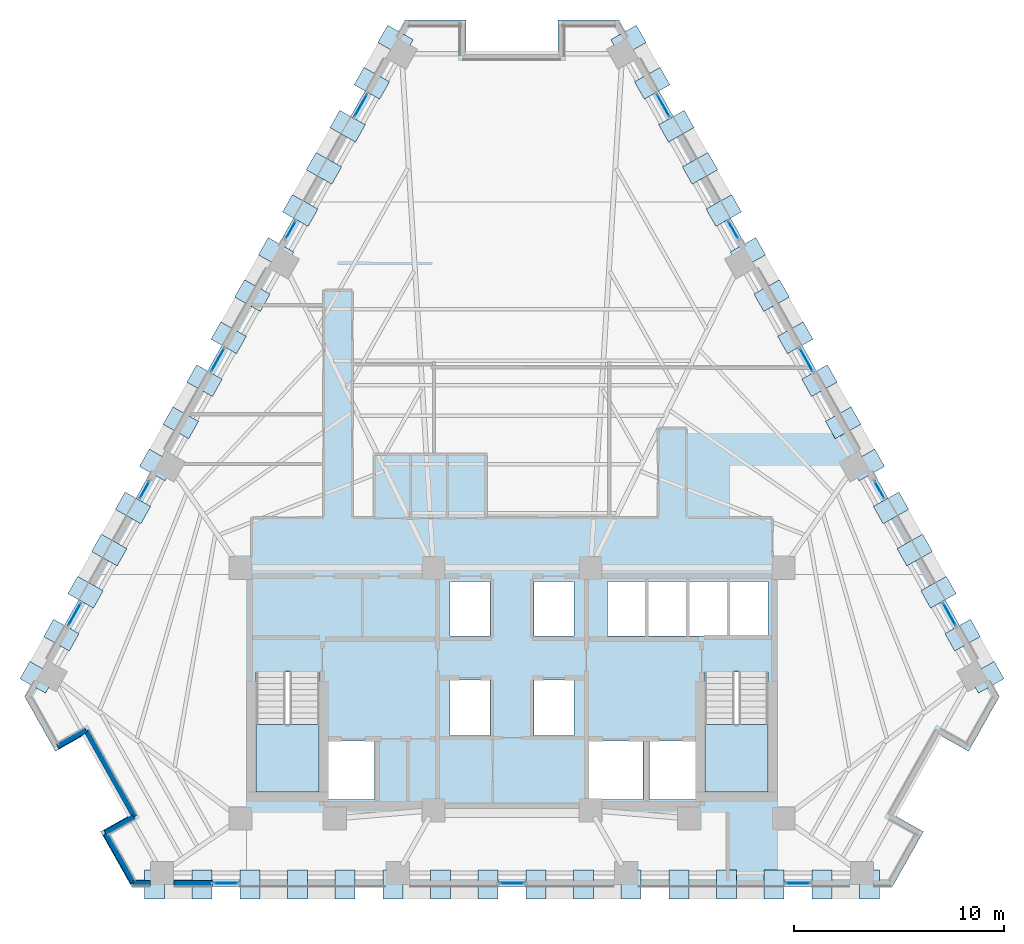
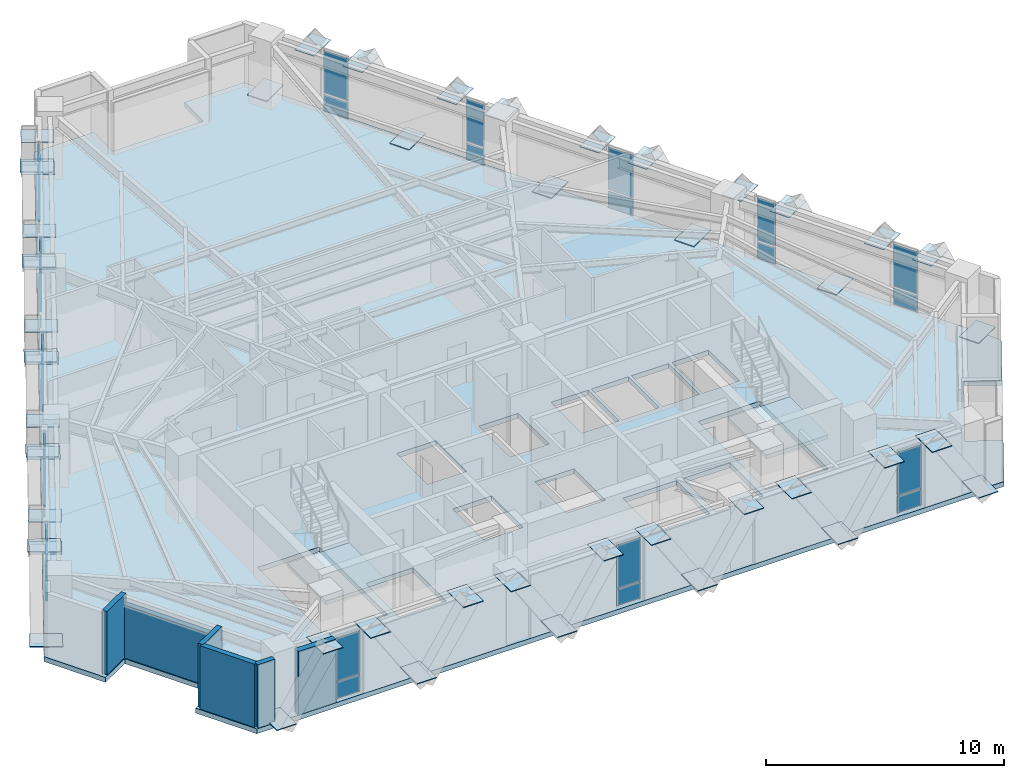
# One storey, part 6 of 13: 74 plates, 6 walls, 3 slabs, 15 elements without a shape of their own.
"""IFC4 building model written with IfcOpenShell, lengths in metres."""

from ifc_helpers import new_model, si_unit, direction, frame, frame_2d, origin, origin_2d, place, context, subcontext, project, spatial, polyline, rectangle, outline, extrude, material, layer, layer_set, type_object, element, aggregate, save


model = new_model("IFC4")

# Units and contexts
model_context = context("Model", 3, precision=1e-05, world=origin(), true_north=direction((0.0, 1.0)))
body_context = subcontext(model_context, "Body", "Model", "MODEL_VIEW")
ifc_project = project(units=[si_unit("LENGTHUNIT", "METRE"), si_unit("AREAUNIT", "SQUARE_METRE"), si_unit("VOLUMEUNIT", "CUBIC_METRE"), si_unit("PLANEANGLEUNIT", "RADIAN"), si_unit("MASSUNIT", "GRAM", prefix="KILO")], contexts=[model_context])

# Site, building, storey
site_placement = place(None, origin())
site = spatial("IfcSite", under=ifc_project, at=site_placement, CompositionType="ELEMENT")
building_placement = place(site_placement, origin())
building = spatial("IfcBuilding", under=site, at=building_placement, Name="Quenlor Broadcast Tower", CompositionType="ELEMENT")
storey_placement = place(building_placement, frame((0.0, 0.0, 119.5)))
storey = spatial("IfcBuildingStorey", under=building, at=storey_placement, Name="L32", CompositionType="ELEMENT", Elevation=119.5)

# Curtain wall, plates
ifc_material_1 = material(Name="Architectural Terracotta and Low-E Glazing", Category="masonry")
curtain_wall_type = type_object("IfcCurtainWallType", Name="Unitised Terracotta Curtain Wall System Z2", PredefinedType="NOTDEFINED", material=ifc_material_1)
curtain_wall_1_placement = place(storey_placement, origin())
curtain_wall_1 = element("IfcCurtainWall", 1, at=curtain_wall_1_placement, inside=storey, type_object=curtain_wall_type, Name="L32 Curtain Wall CW2 (L32-SA-G1)", PredefinedType="NOTDEFINED")
ifc_material_2 = material(Name="Double Glazed Low-E Solar Glass", Category="glass")
ifc_layer_1 = layer(ifc_material_2, 0.030029296875)
ifc_layer_set_1 = layer_set([ifc_layer_1], Name="CW2 Double Glazed Vision Panel 30")
plate_type_1 = type_object("IfcPlateType", Name="CW2 Double Glazed Vision Panel 30", PredefinedType="CURTAIN_PANEL", material=ifc_layer_set_1)
plate_1_placement = place(storey_placement, frame((13.63525390625, -19.840087890625, 0.074951171875), z_axis=(0.0, 0.0, 1.0), x_axis=(-1.0, 0.0, 0.0)))
plate_1 = element("IfcPlate", 2, at=plate_1_placement, type_object=plate_type_1, Name="CW2 panel 1.1", PredefinedType="CURTAIN_PANEL", context=body_context, shape_type="SweptSolid", body=[
    extrude(rectangle(XDim=1.1630859375, YDim=0.030029296875, at=origin_2d()), origin(), (0.0, 0.0, 1.0), 0.83740234375),
])
plate_2_placement = place(storey_placement, frame((13.63525390625, -19.840087890625, 0.987548828125), z_axis=(0.0, 0.0, 1.0), x_axis=(-1.0, 0.0, 0.0)))
plate_2 = element("IfcPlate", 3, at=plate_2_placement, type_object=plate_type_1, Name="CW2 panel 1.2", PredefinedType="CURTAIN_PANEL", context=body_context, shape_type="SweptSolid", body=[
    extrude(rectangle(XDim=1.1630859375, YDim=0.030029296875, at=origin_2d()), origin(), (0.0, 0.0, 1.0), 2.1875),
])
aggregate(curtain_wall_1, [plate_1, plate_2])

curtain_wall_2_placement = place(storey_placement, origin())
curtain_wall_2 = element("IfcCurtainWall", 4, at=curtain_wall_2_placement, inside=storey, type_object=curtain_wall_type, Name="L32 Curtain Wall CW2 (L32-SC-G1)", PredefinedType="NOTDEFINED")
plate_3_placement = place(storey_placement, frame((-13.63525390625, -19.840087890625, 0.074951171875), z_axis=(0.0, 0.0, 1.0), x_axis=(-1.0, 0.0, 0.0)))
plate_3 = element("IfcPlate", 5, at=plate_3_placement, type_object=plate_type_1, Name="CW2 panel 1.1", PredefinedType="CURTAIN_PANEL", context=body_context, shape_type="SweptSolid", body=[
    extrude(rectangle(XDim=1.1630859375, YDim=0.030029296875, at=origin_2d()), origin(), (0.0, 0.0, 1.0), 0.83740234375),
])
plate_4_placement = place(storey_placement, frame((-13.63525390625, -19.840087890625, 0.987548828125), z_axis=(0.0, 0.0, 1.0), x_axis=(-1.0, 0.0, 0.0)))
plate_4 = element("IfcPlate", 6, at=plate_4_placement, type_object=plate_type_1, Name="CW2 panel 1.2", PredefinedType="CURTAIN_PANEL", context=body_context, shape_type="SweptSolid", body=[
    extrude(rectangle(XDim=1.1630859375, YDim=0.030029296875, at=origin_2d()), origin(), (0.0, 0.0, 1.0), 2.1875),
])
aggregate(curtain_wall_2, [plate_3, plate_4])

curtain_wall_3_placement = place(storey_placement, origin())
curtain_wall_3 = element("IfcCurtainWall", 7, at=curtain_wall_3_placement, inside=storey, type_object=curtain_wall_type, Name="L32 Curtain Wall CW2 (L32-S-G1)", PredefinedType="NOTDEFINED")
plate_5_placement = place(storey_placement, frame((0.0, -19.840087890625, 0.074951171875), z_axis=(0.0, 0.0, 1.0), x_axis=(-1.0, 0.0, 0.0)))
plate_5 = element("IfcPlate", 8, at=plate_5_placement, type_object=plate_type_1, Name="CW2 panel 1.1", PredefinedType="CURTAIN_PANEL", context=body_context, shape_type="SweptSolid", body=[
    extrude(rectangle(XDim=1.1630859375, YDim=0.030029296875, at=origin_2d()), origin(), (0.0, 0.0, 1.0), 0.83740234375),
])
plate_6_placement = place(storey_placement, frame((0.0, -19.840087890625, 0.987548828125), z_axis=(0.0, 0.0, 1.0), x_axis=(-1.0, 0.0, 0.0)))
plate_6 = element("IfcPlate", 9, at=plate_6_placement, type_object=plate_type_1, Name="CW2 panel 1.2", PredefinedType="CURTAIN_PANEL", context=body_context, shape_type="SweptSolid", body=[
    extrude(rectangle(XDim=1.1630859375, YDim=0.030029296875, at=origin_2d()), origin(), (0.0, 0.0, 1.0), 2.1875),
])
aggregate(curtain_wall_3, [plate_5, plate_6])

curtain_wall_4_placement = place(storey_placement, origin())
curtain_wall_4 = element("IfcCurtainWall", 10, at=curtain_wall_4_placement, inside=storey, type_object=curtain_wall_type, Name="L32 Curtain Wall CW2 (L32-NEA-G1)", PredefinedType="NOTDEFINED")
plate_7_placement = place(storey_placement, frame((7.209228515625, 17.257080078125, 0.074951171875), z_axis=(0.0, 0.0, 1.0), x_axis=(0.490247320704, -0.871583366376, 0.0)))
plate_7 = element("IfcPlate", 11, at=plate_7_placement, type_object=plate_type_1, Name="CW2 panel 1.1", PredefinedType="CURTAIN_PANEL", context=body_context, shape_type="SweptSolid", body=[
    extrude(rectangle(XDim=1.21435546875, YDim=0.030029296875, at=origin_2d()), origin(), (0.0, 0.0, 1.0), 0.83740234375),
])
plate_8_placement = place(storey_placement, frame((7.209228515625, 17.257080078125, 0.987548828125), z_axis=(0.0, 0.0, 1.0), x_axis=(0.490247320704, -0.871583366376, 0.0)))
plate_8 = element("IfcPlate", 12, at=plate_8_placement, type_object=plate_type_1, Name="CW2 panel 1.2", PredefinedType="CURTAIN_PANEL", context=body_context, shape_type="SweptSolid", body=[
    extrude(rectangle(XDim=1.21435546875, YDim=0.030029296875, at=origin_2d()), origin(), (0.0, 0.0, 1.0), 2.1875),
])
aggregate(curtain_wall_4, [plate_7, plate_8])

curtain_wall_5_placement = place(storey_placement, origin())
curtain_wall_5 = element("IfcCurtainWall", 13, at=curtain_wall_5_placement, inside=storey, type_object=curtain_wall_type, Name="L32 Curtain Wall CW2 (L32-NEA-G2)", PredefinedType="NOTDEFINED")
plate_9_placement = place(storey_placement, frame((10.54736328125, 11.322998046875, 0.074951171875), z_axis=(0.0, 0.0, 1.0), x_axis=(0.490252261371, -0.871580587336, 0.0)))
plate_9 = element("IfcPlate", 14, at=plate_9_placement, type_object=plate_type_1, Name="CW2 panel 1.1", PredefinedType="CURTAIN_PANEL", context=body_context, shape_type="SweptSolid", body=[
    extrude(rectangle(XDim=0.90771484375, YDim=0.030029296875, at=origin_2d()), origin(), (0.0, 0.0, 1.0), 0.83740234375),
])
plate_10_placement = place(storey_placement, frame((10.54736328125, 11.322998046875, 0.987548828125), z_axis=(0.0, 0.0, 1.0), x_axis=(0.490252261371, -0.871580587336, 0.0)))
plate_10 = element("IfcPlate", 15, at=plate_10_placement, type_object=plate_type_1, Name="CW2 panel 1.2", PredefinedType="CURTAIN_PANEL", context=body_context, shape_type="SweptSolid", body=[
    extrude(rectangle(XDim=0.90771484375, YDim=0.030029296875, at=origin_2d()), origin(), (0.0, 0.0, 1.0), 2.1875),
])
aggregate(curtain_wall_5, [plate_9, plate_10])

curtain_wall_6_placement = place(storey_placement, origin())
curtain_wall_6 = element("IfcCurtainWall", 16, at=curtain_wall_6_placement, inside=storey, type_object=curtain_wall_type, Name="L32 Curtain Wall CW2 (L32-NEC-G1)", PredefinedType="NOTDEFINED")
plate_11_placement = place(storey_placement, frame((17.523681640625, -1.079833984375, 0.074951171875), z_axis=(0.0, 0.0, 1.0), x_axis=(0.490252261371, -0.871580587336, 0.0)))
plate_11 = element("IfcPlate", 17, at=plate_11_placement, type_object=plate_type_1, Name="CW2 panel 1.1", PredefinedType="CURTAIN_PANEL", context=body_context, shape_type="SweptSolid", body=[
    extrude(rectangle(XDim=0.90771484375, YDim=0.030029296875, at=origin_2d()), origin(), (0.0, 0.0, 1.0), 0.83740234375),
])
plate_12_placement = place(storey_placement, frame((17.523681640625, -1.079833984375, 0.987548828125), z_axis=(0.0, 0.0, 1.0), x_axis=(0.490252261371, -0.871580587336, 0.0)))
plate_12 = element("IfcPlate", 18, at=plate_12_placement, type_object=plate_type_1, Name="CW2 panel 1.2", PredefinedType="CURTAIN_PANEL", context=body_context, shape_type="SweptSolid", body=[
    extrude(rectangle(XDim=0.90771484375, YDim=0.030029296875, at=origin_2d()), origin(), (0.0, 0.0, 1.0), 2.1875),
])
aggregate(curtain_wall_6, [plate_11, plate_12])

curtain_wall_7_placement = place(storey_placement, origin())
curtain_wall_7 = element("IfcCurtainWall", 19, at=curtain_wall_7_placement, inside=storey, type_object=curtain_wall_type, Name="L32 Curtain Wall CW2 (L32-NEC-G2)", PredefinedType="NOTDEFINED")
plate_13_placement = place(storey_placement, frame((20.861572265625, -7.013916015625, 0.074951171875), z_axis=(0.0, 0.0, 1.0), x_axis=(0.490278639232, -0.871565749621, 0.0)))
plate_13 = element("IfcPlate", 20, at=plate_13_placement, type_object=plate_type_1, Name="CW2 panel 1.1", PredefinedType="CURTAIN_PANEL", context=body_context, shape_type="SweptSolid", body=[
    extrude(rectangle(XDim=1.21435546875, YDim=0.030029296875, at=origin_2d()), origin(), (0.0, 0.0, 1.0), 0.83740234375),
])
plate_14_placement = place(storey_placement, frame((20.861572265625, -7.013916015625, 0.987548828125), z_axis=(0.0, 0.0, 1.0), x_axis=(0.490278639232, -0.871565749621, 0.0)))
plate_14 = element("IfcPlate", 21, at=plate_14_placement, type_object=plate_type_1, Name="CW2 panel 1.2", PredefinedType="CURTAIN_PANEL", context=body_context, shape_type="SweptSolid", body=[
    extrude(rectangle(XDim=1.21435546875, YDim=0.030029296875, at=origin_2d()), origin(), (0.0, 0.0, 1.0), 2.1875),
])
aggregate(curtain_wall_7, [plate_13, plate_14])

curtain_wall_8_placement = place(storey_placement, origin())
curtain_wall_8 = element("IfcCurtainWall", 22, at=curtain_wall_8_placement, inside=storey, type_object=curtain_wall_type, Name="L32 Curtain Wall CW2 (L32-NE-G1)", PredefinedType="NOTDEFINED")
plate_15_placement = place(storey_placement, frame((14.035400390625, 5.12158203125, 0.074951171875), z_axis=(0.0, 0.0, 1.0), x_axis=(0.490254279037, -0.871579452423, 0.0)))
plate_15 = element("IfcPlate", 23, at=plate_15_placement, type_object=plate_type_1, Name="CW2 panel 1.1", PredefinedType="CURTAIN_PANEL", context=body_context, shape_type="SweptSolid", body=[
    extrude(rectangle(XDim=1.214111328125, YDim=0.030029296875, at=origin_2d()), origin(), (0.0, 0.0, 1.0), 0.83740234375),
])
plate_16_placement = place(storey_placement, frame((14.035400390625, 5.12158203125, 0.987548828125), z_axis=(0.0, 0.0, 1.0), x_axis=(0.490254279037, -0.871579452423, 0.0)))
plate_16 = element("IfcPlate", 24, at=plate_16_placement, type_object=plate_type_1, Name="CW2 panel 1.2", PredefinedType="CURTAIN_PANEL", context=body_context, shape_type="SweptSolid", body=[
    extrude(rectangle(XDim=1.214111328125, YDim=0.030029296875, at=origin_2d()), origin(), (0.0, 0.0, 1.0), 2.1875),
])
aggregate(curtain_wall_8, [plate_15, plate_16])

curtain_wall_9_placement = place(storey_placement, origin())
curtain_wall_9 = element("IfcCurtainWall", 25, at=curtain_wall_9_placement, inside=storey, type_object=curtain_wall_type, Name="L32 Curtain Wall CW2 (L32-NWA-G1)", PredefinedType="NOTDEFINED")
plate_17_placement = place(storey_placement, frame((-20.861572265625, -7.013916015625, 0.074951171875), z_axis=(0.0, 0.0, 1.0), x_axis=(0.490278639232, 0.871565749621, 0.0)))
plate_17 = element("IfcPlate", 26, at=plate_17_placement, type_object=plate_type_1, Name="CW2 panel 1.1", PredefinedType="CURTAIN_PANEL", context=body_context, shape_type="SweptSolid", body=[
    extrude(rectangle(XDim=1.21435546875, YDim=0.030029296875, at=origin_2d()), origin(), (0.0, 0.0, 1.0), 0.83740234375),
])
plate_18_placement = place(storey_placement, frame((-20.861572265625, -7.013916015625, 0.987548828125), z_axis=(0.0, 0.0, 1.0), x_axis=(0.490278639232, 0.871565749621, 0.0)))
plate_18 = element("IfcPlate", 27, at=plate_18_placement, type_object=plate_type_1, Name="CW2 panel 1.2", PredefinedType="CURTAIN_PANEL", context=body_context, shape_type="SweptSolid", body=[
    extrude(rectangle(XDim=1.21435546875, YDim=0.030029296875, at=origin_2d()), origin(), (0.0, 0.0, 1.0), 2.1875),
])
aggregate(curtain_wall_9, [plate_17, plate_18])

curtain_wall_10_placement = place(storey_placement, origin())
curtain_wall_10 = element("IfcCurtainWall", 28, at=curtain_wall_10_placement, inside=storey, type_object=curtain_wall_type, Name="L32 Curtain Wall CW2 (L32-NWA-G2)", PredefinedType="NOTDEFINED")
plate_19_placement = place(storey_placement, frame((-17.523681640625, -1.079833984375, 0.074951171875), z_axis=(0.0, 0.0, 1.0), x_axis=(0.490252261371, 0.871580587336, 0.0)))
plate_19 = element("IfcPlate", 29, at=plate_19_placement, type_object=plate_type_1, Name="CW2 panel 1.1", PredefinedType="CURTAIN_PANEL", context=body_context, shape_type="SweptSolid", body=[
    extrude(rectangle(XDim=0.90771484375, YDim=0.030029296875, at=origin_2d()), origin(), (0.0, 0.0, 1.0), 0.83740234375),
])
plate_20_placement = place(storey_placement, frame((-17.523681640625, -1.079833984375, 0.987548828125), z_axis=(0.0, 0.0, 1.0), x_axis=(0.490252261371, 0.871580587336, 0.0)))
plate_20 = element("IfcPlate", 30, at=plate_20_placement, type_object=plate_type_1, Name="CW2 panel 1.2", PredefinedType="CURTAIN_PANEL", context=body_context, shape_type="SweptSolid", body=[
    extrude(rectangle(XDim=0.90771484375, YDim=0.030029296875, at=origin_2d()), origin(), (0.0, 0.0, 1.0), 2.1875),
])
aggregate(curtain_wall_10, [plate_19, plate_20])

curtain_wall_11_placement = place(storey_placement, origin())
curtain_wall_11 = element("IfcCurtainWall", 31, at=curtain_wall_11_placement, inside=storey, type_object=curtain_wall_type, Name="L32 Curtain Wall CW2 (L32-NWC-G1)", PredefinedType="NOTDEFINED")
plate_21_placement = place(storey_placement, frame((-10.54736328125, 11.322998046875, 0.074951171875), z_axis=(0.0, 0.0, 1.0), x_axis=(0.490252261371, 0.871580587336, 0.0)))
plate_21 = element("IfcPlate", 32, at=plate_21_placement, type_object=plate_type_1, Name="CW2 panel 1.1", PredefinedType="CURTAIN_PANEL", context=body_context, shape_type="SweptSolid", body=[
    extrude(rectangle(XDim=0.90771484375, YDim=0.030029296875, at=origin_2d()), origin(), (0.0, 0.0, 1.0), 0.83740234375),
])
plate_22_placement = place(storey_placement, frame((-10.54736328125, 11.322998046875, 0.987548828125), z_axis=(0.0, 0.0, 1.0), x_axis=(0.490252261371, 0.871580587336, 0.0)))
plate_22 = element("IfcPlate", 33, at=plate_22_placement, type_object=plate_type_1, Name="CW2 panel 1.2", PredefinedType="CURTAIN_PANEL", context=body_context, shape_type="SweptSolid", body=[
    extrude(rectangle(XDim=0.90771484375, YDim=0.030029296875, at=origin_2d()), origin(), (0.0, 0.0, 1.0), 2.1875),
])
aggregate(curtain_wall_11, [plate_21, plate_22])

curtain_wall_12_placement = place(storey_placement, origin())
curtain_wall_12 = element("IfcCurtainWall", 34, at=curtain_wall_12_placement, inside=storey, type_object=curtain_wall_type, Name="L32 Curtain Wall CW2 (L32-NWC-G2)", PredefinedType="NOTDEFINED")
plate_23_placement = place(storey_placement, frame((-7.209228515625, 17.257080078125, 0.074951171875), z_axis=(0.0, 0.0, 1.0), x_axis=(0.490247320704, 0.871583366376, 0.0)))
plate_23 = element("IfcPlate", 35, at=plate_23_placement, type_object=plate_type_1, Name="CW2 panel 1.1", PredefinedType="CURTAIN_PANEL", context=body_context, shape_type="SweptSolid", body=[
    extrude(rectangle(XDim=1.21435546875, YDim=0.030029296875, at=origin_2d()), origin(), (0.0, 0.0, 1.0), 0.83740234375),
])
plate_24_placement = place(storey_placement, frame((-7.209228515625, 17.257080078125, 0.987548828125), z_axis=(0.0, 0.0, 1.0), x_axis=(0.490247320704, 0.871583366376, 0.0)))
plate_24 = element("IfcPlate", 36, at=plate_24_placement, type_object=plate_type_1, Name="CW2 panel 1.2", PredefinedType="CURTAIN_PANEL", context=body_context, shape_type="SweptSolid", body=[
    extrude(rectangle(XDim=1.21435546875, YDim=0.030029296875, at=origin_2d()), origin(), (0.0, 0.0, 1.0), 2.1875),
])
aggregate(curtain_wall_12, [plate_23, plate_24])

curtain_wall_13_placement = place(storey_placement, origin())
curtain_wall_13 = element("IfcCurtainWall", 37, at=curtain_wall_13_placement, inside=storey, type_object=curtain_wall_type, Name="L32 Curtain Wall CW2 (L32-NW-G1)", PredefinedType="NOTDEFINED")
plate_25_placement = place(storey_placement, frame((-14.035400390625, 5.12158203125, 0.074951171875), z_axis=(0.0, 0.0, 1.0), x_axis=(0.490254279037, 0.871579452423, 0.0)))
plate_25 = element("IfcPlate", 38, at=plate_25_placement, type_object=plate_type_1, Name="CW2 panel 1.1", PredefinedType="CURTAIN_PANEL", context=body_context, shape_type="SweptSolid", body=[
    extrude(rectangle(XDim=1.214111328125, YDim=0.030029296875, at=origin_2d()), origin(), (0.0, 0.0, 1.0), 0.83740234375),
])
plate_26_placement = place(storey_placement, frame((-14.035400390625, 5.12158203125, 0.987548828125), z_axis=(0.0, 0.0, 1.0), x_axis=(0.490254279037, 0.871579452423, 0.0)))
plate_26 = element("IfcPlate", 39, at=plate_26_placement, type_object=plate_type_1, Name="CW2 panel 1.2", PredefinedType="CURTAIN_PANEL", context=body_context, shape_type="SweptSolid", body=[
    extrude(rectangle(XDim=1.214111328125, YDim=0.030029296875, at=origin_2d()), origin(), (0.0, 0.0, 1.0), 2.1875),
])
aggregate(curtain_wall_13, [plate_25, plate_26])

# Stair, slab
ifc_material_3 = material(Name="Precast concrete C40/50", Category="concrete")
stair_type = type_object("IfcStairType", Name="Precast Concrete C40/50 Dogleg Stair H350", PredefinedType="HALF_TURN_STAIR", material=ifc_material_3)
stair_1_placement = place(storey_placement, origin())
stair_1 = element("IfcStair", 40, at=stair_1_placement, inside=storey, type_object=stair_type, Name="L32 West Core Fire-Isolated Exit Stair ST-1", PredefinedType="HALF_TURN_STAIR")
ifc_material_4 = material(Name="Precast concrete C40/50", Category="concrete")
ifc_layer_2 = layer(ifc_material_4, 0.199951171875)
ifc_layer_set_2 = layer_set([ifc_layer_2], Name="Precast Concrete C40/50 Stair Landing Slab 200")
slab_type_1 = type_object("IfcSlabType", Name="Precast Concrete C40/50 Stair Landing Slab 200", PredefinedType="LANDING", material=ifc_layer_set_2)
slab_1_placement = place(storey_placement, frame((0.0, 0.0, 1.550048828125)))
slab_1 = element("IfcSlab", 41, at=slab_1_placement, type_object=slab_type_1, Name="ST-1 landing 1", PredefinedType="LANDING", context=body_context, shape_type="SweptSolid", body=[
    extrude(outline(polyline([(-12.199951171875, -12.27001953125), (-12.199951171875, -15.5), (-9.199951171875, -15.5), (-9.199951171875, -12.27001953125), (-12.199951171875, -12.27001953125)])), origin(), (0.0, 0.0, 1.0), 0.199951171875),
])
aggregate(stair_1, [slab_1])

stair_2_placement = place(storey_placement, origin())
stair_2 = element("IfcStair", 42, at=stair_2_placement, inside=storey, type_object=stair_type, Name="L32 East Core Fire-Isolated Exit Stair ST-2", PredefinedType="HALF_TURN_STAIR")
slab_2_placement = place(storey_placement, frame((0.0, 0.0, 1.550048828125)))
slab_2 = element("IfcSlab", 43, at=slab_2_placement, type_object=slab_type_1, Name="ST-2 landing 1", PredefinedType="LANDING", context=body_context, shape_type="SweptSolid", body=[
    extrude(outline(polyline([(9.199951171875, -12.27001953125), (9.199951171875, -15.5), (12.199951171875, -15.5), (12.199951171875, -12.27001953125), (9.199951171875, -12.27001953125)])), origin(), (0.0, 0.0, 1.0), 0.199951171875),
])
aggregate(stair_2, [slab_2])

# Slab
ifc_material_5 = material(Name="Concrete C40/50", Category="concrete")
ifc_layer_3 = layer(ifc_material_5, 0.25)
ifc_layer_set_3 = layer_set([ifc_layer_3], Name="Tower Composite Concrete C40/50 Slab 250")
slab_type_2 = type_object("IfcSlabType", Name="Tower Composite Concrete C40/50 Slab 250", PredefinedType="FLOOR", material=ifc_layer_set_3)
slab_3_placement = place(storey_placement, frame((0.0, 0.0, -0.25)))
element("IfcSlab", 44, at=slab_3_placement, inside=storey, type_object=slab_type_2, Name="L32 Structural Floor Slab", PredefinedType="FLOOR", context=body_context, shape_type="SweptSolid", body=[
    extrude(outline(polyline([(18.14404296875, -20.0), (19.616943359375, -17.381591796875), (18.222412109375, -16.596923828125), (20.379638671875, -12.76220703125), (21.774169921875, -13.54638671875), (23.2470703125, -10.927978515625), (5.10302734375, 21.327880859375), (2.199951171875, 21.327880859375), (2.199951171875, 19.72802734375), (-2.199951171875, 19.72802734375), (-2.199951171875, 21.327880859375), (-5.10302734375, 21.327880859375), (-23.2470703125, -10.927978515625), (-21.774169921875, -13.54638671875), (-20.379638671875, -12.76220703125), (-18.222412109375, -16.596923828125), (-19.616943359375, -17.381591796875), (-18.14404296875, -20.0), (18.14404296875, -20.0)]), holes=[polyline([(-12.199951171875, -9.758056640625), (-12.199951171875, -15.5), (-9.199951171875, -15.5), (-9.199951171875, -9.758056640625), (-12.199951171875, -9.758056640625)]), polyline([(9.199951171875, -9.758056640625), (9.199951171875, -15.5), (12.199951171875, -15.5), (12.199951171875, -9.758056640625), (9.199951171875, -9.758056640625)]), polyline([(-2.949951171875, -8.050048828125), (-1.050048828125, -8.050048828125), (-1.050048828125, -5.449951171875), (-2.949951171875, -5.449951171875), (-2.949951171875, -8.050048828125)]), polyline([(1.050048828125, -8.050048828125), (2.949951171875, -8.050048828125), (2.949951171875, -5.449951171875), (1.050048828125, -5.449951171875), (1.050048828125, -8.050048828125)]), polyline([(-2.949951171875, -12.800048828125), (-1.050048828125, -12.800048828125), (-1.050048828125, -10.14990234375), (-2.949951171875, -10.14990234375), (-2.949951171875, -12.800048828125)]), polyline([(1.050048828125, -12.800048828125), (2.949951171875, -12.800048828125), (2.949951171875, -10.14990234375), (1.050048828125, -10.14990234375), (1.050048828125, -12.800048828125)]), polyline([(4.550048828125, -8.050048828125), (6.35009765625, -8.050048828125), (6.35009765625, -5.449951171875), (4.550048828125, -5.449951171875), (4.550048828125, -8.050048828125)]), polyline([(6.5, -8.050048828125), (8.300048828125, -8.050048828125), (8.300048828125, -5.449951171875), (6.5, -5.449951171875), (6.5, -8.050048828125)]), polyline([(8.449951171875, -8.050048828125), (10.25, -8.050048828125), (10.25, -5.449951171875), (8.449951171875, -5.449951171875), (8.449951171875, -8.050048828125)]), polyline([(10.39990234375, -8.050048828125), (12.199951171875, -8.050048828125), (12.199951171875, -5.449951171875), (10.39990234375, -5.449951171875), (10.39990234375, -8.050048828125)]), polyline([(-8.85009765625, -15.85009765625), (-6.550048828125, -15.85009765625), (-6.550048828125, -13.050048828125), (-8.85009765625, -13.050048828125), (-8.85009765625, -15.85009765625)]), polyline([(6.550048828125, -15.85009765625), (8.85009765625, -15.85009765625), (8.85009765625, -13.050048828125), (6.550048828125, -13.050048828125), (6.550048828125, -15.85009765625)]), polyline([(3.64990234375, -15.85009765625), (6.25, -15.85009765625), (6.25, -13.050048828125), (3.64990234375, -13.050048828125), (3.64990234375, -15.85009765625)])]), origin(), (0.0, 0.0, 1.0), 0.25),
])

# Plates
ifc_material_6 = material(Name="Steel S355", Category="steel")
ifc_layer_4 = layer(ifc_material_6, 0.035888671875)
ifc_layer_set_4 = layer_set([ifc_layer_4], Name="Transfer Truss Steel S355 Gusset Node Plate 1400x950x36")
plate_type_2 = type_object("IfcPlateType", Name="Transfer Truss Steel S355 Gusset Node Plate 1400x950x36", PredefinedType="SHEET", material=ifc_layer_set_4)
for number, where, z_axis, x_axis, name in (
    (45, (17.0439453125, -19.89990234375, 0.0419921875), (0.0, 0.0, 1.0), (0.0, -1.0, 0.0), "L32 Lattice Tie Gusset Node S-B0"),
    (46, (14.78515625, -19.89990234375, 3.18212890625), (0.0, 0.0, 1.0), (0.0, -1.0, 0.0), "L32 Lattice Tie Gusset Node S-T1"),
    (47, (10.226318359375, -19.89990234375, 0.0419921875), (0.0, 0.0, 1.0), (0.0, -1.0, 0.0), "L32 Lattice Tie Gusset Node S-B3"),
    (48, (12.4853515625, -19.89990234375, 3.18212890625), (0.0, 0.0, 1.0), (0.0, -1.0, 0.0), "L32 Lattice Tie Gusset Node S-T2"),
    (49, (7.967529296875, -19.89990234375, 3.18212890625), (0.0, 0.0, 1.0), (0.0, -1.0, 0.0), "L32 Lattice Tie Gusset Node S-T4"),
    (50, (3.40869140625, -19.89990234375, 0.0419921875), (0.0, 0.0, 1.0), (0.0, -1.0, 0.0), "L32 Lattice Tie Gusset Node S-B6"),
    (51, (5.667724609375, -19.89990234375, 3.18212890625), (0.0, 0.0, 1.0), (0.0, -1.0, 0.0), "L32 Lattice Tie Gusset Node S-T5"),
    (52, (1.14990234375, -19.89990234375, 3.18212890625), (0.0, 0.0, 1.0), (0.0, -1.0, 0.0), "L32 Lattice Tie Gusset Node S-T7"),
    (53, (-3.40869140625, -19.89990234375, 0.0419921875), (0.0, 0.0, 1.0), (0.0, -1.0, 0.0), "L32 Lattice Tie Gusset Node S-B9"),
    (54, (-1.14990234375, -19.89990234375, 3.18212890625), (0.0, 0.0, 1.0), (0.0, -1.0, 0.0), "L32 Lattice Tie Gusset Node S-T8"),
    (55, (-5.667724609375, -19.89990234375, 3.18212890625), (0.0, 0.0, 1.0), (0.0, -1.0, 0.0), "L32 Lattice Tie Gusset Node S-T10"),
    (56, (-10.226318359375, -19.89990234375, 0.0419921875), (0.0, 0.0, 1.0), (0.0, -1.0, 0.0), "L32 Lattice Tie Gusset Node S-B12"),
    (57, (-7.967529296875, -19.89990234375, 3.18212890625), (0.0, 0.0, 1.0), (0.0, -1.0, 0.0), "L32 Lattice Tie Gusset Node S-T11"),
    (58, (-12.4853515625, -19.89990234375, 3.18212890625), (0.0, 0.0, 1.0), (0.0, -1.0, 0.0), "L32 Lattice Tie Gusset Node S-T13"),
    (59, (-17.0439453125, -19.89990234375, 0.0419921875), (0.0, 0.0, 1.0), (0.0, -1.0, 0.0), "L32 Lattice Tie Gusset Node S-B15"),
    (60, (-14.78515625, -19.89990234375, 3.18212890625), (0.0, 0.0, 1.0), (0.0, -1.0, 0.0), "L32 Lattice Tie Gusset Node S-T14"),
    (61, (5.55517578125, 20.3203125, 0.0419921875), (0.0, 0.0, 1.0), (0.871556314255, 0.490295412055, 0.0), "L32 Lattice Tie Gusset Node NE-B0"),
    (62, (6.68603515625, 18.309814453125, 3.18212890625), (0.0, 0.0, 1.0), (0.871556314255, 0.490295412055, 0.0), "L32 Lattice Tie Gusset Node NE-T1"),
    (63, (8.96826171875, 14.252685546875, 0.0419921875), (0.0, 0.0, 1.0), (0.871556314255, 0.490295412055, 0.0), "L32 Lattice Tie Gusset Node NE-B3"),
    (64, (7.83740234375, 16.262939453125, 3.18212890625), (0.0, 0.0, 1.0), (0.871556314255, 0.490295412055, 0.0), "L32 Lattice Tie Gusset Node NE-T2"),
    (65, (10.09912109375, 12.2421875, 3.18212890625), (0.0, 0.0, 1.0), (0.871556314255, 0.490295412055, 0.0), "L32 Lattice Tie Gusset Node NE-T4"),
    (66, (12.38134765625, 8.184814453125, 0.0419921875), (0.0, 0.0, 1.0), (0.871556314255, 0.490295412055, 0.0), "L32 Lattice Tie Gusset Node NE-B6"),
    (67, (11.25048828125, 10.1953125, 3.18212890625), (0.0, 0.0, 1.0), (0.871556314255, 0.490295412055, 0.0), "L32 Lattice Tie Gusset Node NE-T5"),
    (68, (13.51220703125, 6.17431640625, 3.18212890625), (0.0, 0.0, 1.0), (0.871556314255, 0.490295412055, 0.0), "L32 Lattice Tie Gusset Node NE-T7"),
    (69, (15.794189453125, 2.1171875, 0.0419921875), (0.0, 0.0, 1.0), (0.871556314255, 0.490295412055, 0.0), "L32 Lattice Tie Gusset Node NE-B9"),
    (70, (14.66357421875, 4.127685546875, 3.18212890625), (0.0, 0.0, 1.0), (0.871556314255, 0.490295412055, 0.0), "L32 Lattice Tie Gusset Node NE-T8"),
    (71, (16.92529296875, 0.106689453125, 3.18212890625), (0.0, 0.0, 1.0), (0.871556314255, 0.490295412055, 0.0), "L32 Lattice Tie Gusset Node NE-T10"),
    (72, (19.20751953125, -3.950439453125, 0.0419921875), (0.0, 0.0, 1.0), (0.871556314255, 0.490295412055, 0.0), "L32 Lattice Tie Gusset Node NE-B12"),
    (73, (18.07666015625, -1.940185546875, 3.18212890625), (0.0, 0.0, 1.0), (0.871556314255, 0.490295412055, 0.0), "L32 Lattice Tie Gusset Node NE-T11"),
    (74, (20.33837890625, -5.9609375, 3.18212890625), (0.0, 0.0, 1.0), (0.871556314255, 0.490295412055, 0.0), "L32 Lattice Tie Gusset Node NE-T13"),
    (75, (22.62060546875, -10.018310546875, 0.0419921875), (0.0, 0.0, 1.0), (0.871556314255, 0.490295412055, 0.0), "L32 Lattice Tie Gusset Node NE-B15"),
    (76, (21.489501953125, -8.0078125, 3.18212890625), (0.0, 0.0, 1.0), (0.871556314255, 0.490295412055, 0.0), "L32 Lattice Tie Gusset Node NE-T14"),
    (77, (-22.62060546875, -10.018310546875, 0.0419921875), (0.0, 0.0, 1.0), (-0.871556314255, 0.490295412055, 0.0), "L32 Lattice Tie Gusset Node NW-B0"),
    (78, (-21.489501953125, -8.0078125, 3.18212890625), (0.0, 0.0, 1.0), (-0.871556314255, 0.490295412055, 0.0), "L32 Lattice Tie Gusset Node NW-T1"),
    (79, (-19.20751953125, -3.950439453125, 0.0419921875), (0.0, 0.0, 1.0), (-0.871556314255, 0.490295412055, 0.0), "L32 Lattice Tie Gusset Node NW-B3"),
    (80, (-20.33837890625, -5.9609375, 3.18212890625), (0.0, 0.0, 1.0), (-0.871556314255, 0.490295412055, 0.0), "L32 Lattice Tie Gusset Node NW-T2"),
    (81, (-18.07666015625, -1.940185546875, 3.18212890625), (0.0, 0.0, 1.0), (-0.871556314255, 0.490295412055, 0.0), "L32 Lattice Tie Gusset Node NW-T4"),
    (82, (-15.794189453125, 2.1171875, 0.0419921875), (0.0, 0.0, 1.0), (-0.871556314255, 0.490295412055, 0.0), "L32 Lattice Tie Gusset Node NW-B6"),
    (83, (-16.92529296875, 0.106689453125, 3.18212890625), (0.0, 0.0, 1.0), (-0.871556314255, 0.490295412055, 0.0), "L32 Lattice Tie Gusset Node NW-T5"),
    (84, (-14.66357421875, 4.127685546875, 3.18212890625), (0.0, 0.0, 1.0), (-0.871556314255, 0.490295412055, 0.0), "L32 Lattice Tie Gusset Node NW-T7"),
    (85, (-12.38134765625, 8.184814453125, 0.0419921875), (0.0, 0.0, 1.0), (-0.871556314255, 0.490295412055, 0.0), "L32 Lattice Tie Gusset Node NW-B9"),
    (86, (-13.51220703125, 6.17431640625, 3.18212890625), (0.0, 0.0, 1.0), (-0.871556314255, 0.490295412055, 0.0), "L32 Lattice Tie Gusset Node NW-T8"),
    (87, (-11.25048828125, 10.1953125, 3.18212890625), (0.0, 0.0, 1.0), (-0.871556314255, 0.490295412055, 0.0), "L32 Lattice Tie Gusset Node NW-T10"),
    (88, (-8.96826171875, 14.252685546875, 0.0419921875), (0.0, 0.0, 1.0), (-0.871556314255, 0.490295412055, 0.0), "L32 Lattice Tie Gusset Node NW-B12"),
    (89, (-10.09912109375, 12.2421875, 3.18212890625), (0.0, 0.0, 1.0), (-0.871556314255, 0.490295412055, 0.0), "L32 Lattice Tie Gusset Node NW-T11"),
    (90, (-7.83740234375, 16.262939453125, 3.18212890625), (0.0, 0.0, 1.0), (-0.871556314255, 0.490295412055, 0.0), "L32 Lattice Tie Gusset Node NW-T13"),
    (91, (-5.55517578125, 20.3203125, 0.0419921875), (0.0, 0.0, 1.0), (-0.871556314255, 0.490295412055, 0.0), "L32 Lattice Tie Gusset Node NW-B15"),
    (92, (-6.68603515625, 18.309814453125, 3.18212890625), (0.0, 0.0, 1.0), (-0.871556314255, 0.490295412055, 0.0), "L32 Lattice Tie Gusset Node NW-T14"),
):
    element("IfcPlate", number, at=place(storey_placement, frame(where, z_axis=z_axis, x_axis=x_axis)), inside=storey, type_object=plate_type_2, Name=name, PredefinedType="SHEET", context=body_context, shape_type="SweptSolid", body=[
        extrude(rectangle(XDim=1.39990234375, YDim=0.949951171875, at=origin_2d()), origin(), (0.0, 0.0, 1.0), 0.035888671875),
    ])

# Walls
ifc_material_7 = material(Name="Precast concrete C40/50", Category="concrete")
ifc_layer_5 = layer(ifc_material_7, 0.239990234375)
ifc_layer_set_5 = layer_set([ifc_layer_5], Name="Terrace Threshold Precast Concrete C40/50 Wall 240")
wall_type_1 = type_object("IfcWallType", Name="Terrace Threshold Precast Concrete C40/50 Wall 240", PredefinedType="STANDARD", material=ifc_layer_set_5)
wall_1_placement = place(storey_placement, frame((-17.24755859375, -19.840087890625, 0.0), z_axis=(0.0, 0.0, 1.0), x_axis=(-1.0, 0.0, 0.0)))
element("IfcWall", 93, at=wall_1_placement, inside=storey, type_object=wall_type_1, Name="L32 Exterior Wall L32-SHD-SS1", PredefinedType="STANDARD", context=body_context, shape_type="SweptSolid", body=[
    extrude(rectangle(XDim=0.83642578125, YDim=0.239990234375, at=frame_2d((0.418212890625, 0.0))), origin(), (0.0, 0.0, 1.0), 3.25),
])
wall_2_placement = place(storey_placement, frame((-21.67822265625, -13.30908203125, 0.0), z_axis=(0.0, 0.0, 1.0), x_axis=(0.871546278971, 0.490313250496, 0.0)))
element("IfcWall", 94, at=wall_2_placement, inside=storey, type_object=wall_type_1, Name="L32 Exterior Wall L32-CNR-13", PredefinedType="STANDARD", context=body_context, shape_type="SweptSolid", body=[
    extrude(rectangle(XDim=1.56005859375, YDim=0.239990234375, at=frame_2d((0.780029296875, 0.0))), origin(), (0.0, 0.0, 1.0), 3.25),
])
wall_3_placement = place(storey_placement, frame((-20.299072265625, -12.5791015625, 0.0), z_axis=(0.0, 0.0, 1.0), x_axis=(0.490313250496, -0.871546278971, 0.0)))
element("IfcWall", 95, at=wall_3_placement, inside=storey, type_object=wall_type_1, Name="L32 Exterior Wall L32-CNR-14", PredefinedType="STANDARD", context=body_context, shape_type="SweptSolid", body=[
    extrude(rectangle(XDim=4.679931640625, YDim=0.239990234375, at=frame_2d((2.33984375, 0.0))), origin(), (0.0, 0.0, 1.0), 2.7216796875),
])
wall_4_placement = place(storey_placement, frame((-18.039306640625, -16.677490234375, 0.0), z_axis=(0.0, 0.0, 1.0), x_axis=(-0.871546278971, -0.490313250496, 0.0)))
element("IfcWall", 96, at=wall_4_placement, inside=storey, type_object=wall_type_1, Name="L32 Exterior Wall L32-CNR-15", PredefinedType="STANDARD", context=body_context, shape_type="SweptSolid", body=[
    extrude(rectangle(XDim=1.56005859375, YDim=0.239990234375, at=frame_2d((0.780029296875, 0.0))), origin(), (0.0, 0.0, 1.0), 3.25),
])
wall_5_placement = place(storey_placement, frame((-19.37939453125, -17.477294921875, 0.0), z_axis=(0.0, 0.0, 1.0), x_axis=(0.49023085981, -0.871592625078, 0.0)))
element("IfcWall", 97, at=wall_5_placement, inside=storey, type_object=wall_type_1, Name="L32 Exterior Wall L32-CNR-16", PredefinedType="STANDARD", context=body_context, shape_type="SweptSolid", body=[
    extrude(rectangle(XDim=2.6708984375, YDim=0.239990234375, at=frame_2d((1.33544921875, 0.0))), origin(), (0.0, 0.0, 1.0), 3.25),
])
ifc_material_8 = material(Name="Precast concrete C40/50", Category="concrete")
ifc_layer_6 = layer(ifc_material_8, 0.280029296875)
ifc_layer_set_6 = layer_set([ifc_layer_6], Name="Terracotta Precast Concrete C40/50 Facade Wall 280")
wall_type_2 = type_object("IfcWallType", Name="Terracotta Precast Concrete C40/50 Facade Wall 280", PredefinedType="STANDARD", material=ifc_layer_set_6)
wall_6_placement = place(storey_placement, frame((-14.291748046875, -19.840087890625, 0.0), z_axis=(0.0, 0.0, 1.0), x_axis=(-1.0, 0.0, 0.0)))
element("IfcWall", 98, at=wall_6_placement, inside=storey, type_object=wall_type_2, Name="L32 Exterior Wall L32-SC-SP2", PredefinedType="STANDARD", context=body_context, shape_type="SweptSolid", body=[
    extrude(rectangle(XDim=1.82568359375, YDim=0.280029296875, at=frame_2d((0.912841796875, 0.0))), origin(), (0.0, 0.0, 1.0), 3.25),
])

save(model, "model.ifc")
